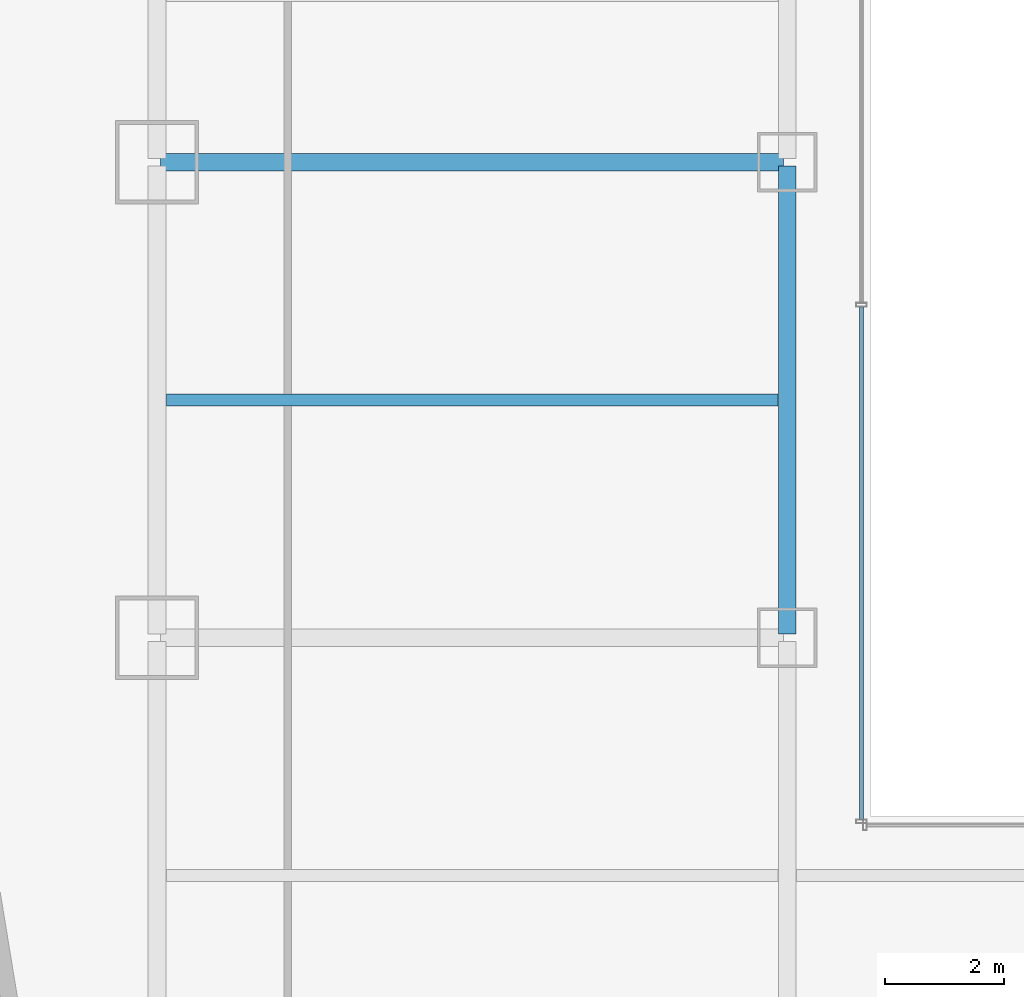
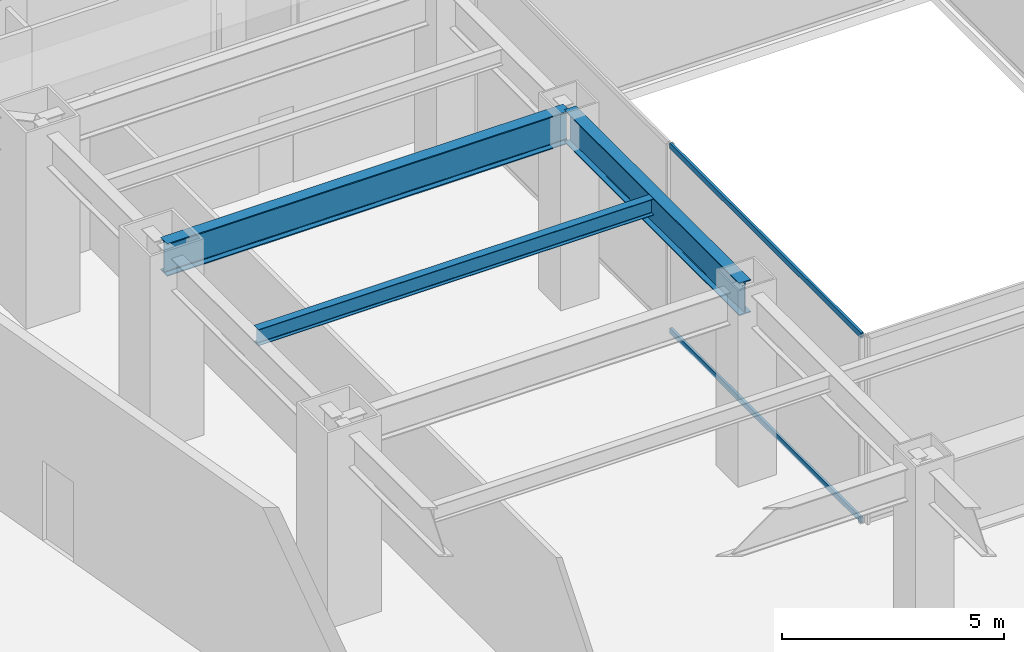
# One storey, part 6 of 29: 3 beams, 2 members, 1 element without a shape of its own.
"""IFC4 building model written with IfcOpenShell, lengths in metres."""

from ifc_helpers import new_model, si_unit, direction, frame, origin, origin_2d, place, context, subcontext, project, spatial, hollow_rectangle, i_section, extrude, material, material_profile, profile_set, type_object, element, aggregate, save


model = new_model("IFC4")

# Units and contexts
model_context = context("Model", 3, precision=1e-05, world=origin(), true_north=direction((0.0, 1.0)))
body_context = subcontext(model_context, "Body", "Model", "MODEL_VIEW")
ifc_project = project(units=[si_unit("LENGTHUNIT", "METRE"), si_unit("AREAUNIT", "SQUARE_METRE"), si_unit("VOLUMEUNIT", "CUBIC_METRE"), si_unit("PLANEANGLEUNIT", "RADIAN"), si_unit("MASSUNIT", "GRAM", prefix="KILO")], contexts=[model_context])

# Site, building, storey
site_placement = place(None, origin())
site = spatial("IfcSite", under=ifc_project, at=site_placement, CompositionType="ELEMENT")
building_placement = place(site_placement, origin())
building = spatial("IfcBuilding", under=site, at=building_placement, Name="Saevonmaru Cultural Tower", CompositionType="ELEMENT")
storey_placement = place(building_placement, frame((0.0, 0.0, 27.60009765625)))
storey = spatial("IfcBuildingStorey", under=building, at=storey_placement, Name="L05", CompositionType="ELEMENT", Elevation=27.60009765625)

# Beams
ifc_material_1 = material(Name="Steel SM420", Category="steel")
ifc_material_profile_1 = material_profile(ifc_material_1, i_section(OverallWidth=0.300048828125, OverallDepth=0.89990234375, WebThickness=0.01611328125, FlangeThickness=0.028076171875, FilletRadius=0.028076171875, at=origin_2d()), Name="H-900x300x16x28")
ifc_profile_set_1 = profile_set([ifc_material_profile_1], Name="Steel SM420")
beam_type_1 = type_object("IfcBeamType", Name="BM-G-H900", PredefinedType="BEAM", material=ifc_profile_set_1)
beam_1_placement = place(storey_placement, frame((22.800048828125, 24.06005859375, 4.699951171875), z_axis=(0.0, 1.0, 0.0), x_axis=(-1.0, 0.0, 0.0)))
element("IfcBeam", 1, at=beam_1_placement, inside=storey, type_object=beam_type_1, Name="L05 Podium Girder NS2-4", PredefinedType="BEAM", context=body_context, shape_type="SweptSolid", body=[
    extrude(i_section(OverallWidth=0.300048828125, OverallDepth=0.89990234375, WebThickness=0.01611328125, FlangeThickness=0.028076171875, FilletRadius=0.028076171875, at=origin_2d()), origin(), (0.0, 0.0, 1.0), 7.8798828125),
])
beam_2_placement = place(storey_placement, frame((12.260009765625, 32.0, 4.699951171875), z_axis=(1.0, 0.0, 0.0), x_axis=(0.0, 1.0, 0.0)))
element("IfcBeam", 2, at=beam_2_placement, inside=storey, type_object=beam_type_1, Name="L05 Gallery Girder W-4", PredefinedType="BEAM", context=body_context, shape_type="SweptSolid", body=[
    extrude(i_section(OverallWidth=0.300048828125, OverallDepth=0.89990234375, WebThickness=0.01611328125, FlangeThickness=0.028076171875, FilletRadius=0.028076171875, at=origin_2d()), origin(), (0.0, 0.0, 1.0), 10.47998046875),
])
ifc_material_2 = material(Name="Steel SM355", Category="steel")
ifc_material_profile_2 = material_profile(ifc_material_2, i_section(OverallWidth=0.199951171875, OverallDepth=0.449951171875, WebThickness=0.009033203125, FlangeThickness=0.013916015625, FilletRadius=0.01806640625, at=origin_2d()), Name="H-450x200x9x14")
ifc_profile_set_2 = profile_set([ifc_material_profile_2], Name="Steel SM355")
beam_type_2 = type_object("IfcBeamType", Name="BM-J-H450", PredefinedType="JOIST", material=ifc_profile_set_2)
beam_3_placement = place(storey_placement, frame((12.35791015625, 28.0, 4.9248046875), z_axis=(1.0, 0.0, 0.0), x_axis=(0.0, 1.0, 0.0)))
element("IfcBeam", 3, at=beam_3_placement, inside=storey, type_object=beam_type_2, Name="L05 Secondary Floor Joist JW-3", PredefinedType="JOIST", context=body_context, shape_type="SweptSolid", body=[
    extrude(i_section(OverallWidth=0.199951171875, OverallDepth=0.449951171875, WebThickness=0.009033203125, FlangeThickness=0.013916015625, FilletRadius=0.01806640625, at=origin_2d()), origin(), (0.0, 0.0, 1.0), 10.2841796875),
])

# Curtain wall, members
ifc_material_3 = material(Name="Satin Bronze Anodised Aluminium", Category="aluminium")
curtain_wall_type = type_object("IfcCurtainWallType", Name="CW-ATR-GLZ", PredefinedType="NOTDEFINED", material=ifc_material_3)
curtain_wall_placement = place(storey_placement, origin())
curtain_wall = element("IfcCurtainWall", 4, at=curtain_wall_placement, inside=storey, type_object=curtain_wall_type, Name="L05 Vertical Atrium Glazed Smoke Screen 4", PredefinedType="NOTDEFINED")
ifc_material_profile_3 = material_profile(ifc_material_3, hollow_rectangle(XDim=0.06494140625, YDim=0.14990234375, WallThickness=0.00390625, at=origin_2d()), Name="ALU-TRAN-150x65x4")
ifc_profile_set_3 = profile_set([ifc_material_profile_3], Name="Satin Bronze Anodised Aluminium")
member_type = type_object("IfcMemberType", Name="TR-CW-INT-150x65", PredefinedType="USERDEFINED", material=ifc_profile_set_3)
member_1_placement = place(storey_placement, frame((24.050048828125, 29.5673828125, 0.032470703125), z_axis=(0.0, -1.0, 0.0), x_axis=(1.0, 0.0, 0.0)))
member_1 = element("IfcMember", 5, at=member_1_placement, type_object=member_type, Name="CW-ATR-L05-4 transom 2.1", ObjectType="TRANSOM", PredefinedType="USERDEFINED", context=body_context, shape_type="SweptSolid", body=[
    extrude(hollow_rectangle(XDim=0.06494140625, YDim=0.14990234375, WallThickness=0.00390625, at=origin_2d()), origin(), (0.0, 0.0, 1.0), 8.625),
])
member_2_placement = place(storey_placement, frame((24.050048828125, 29.5673828125, 5.117431640625), z_axis=(0.0, -1.0, 0.0), x_axis=(1.0, 0.0, 0.0)))
member_2 = element("IfcMember", 6, at=member_2_placement, type_object=member_type, Name="CW-ATR-L05-4 transom 2.2", ObjectType="TRANSOM", PredefinedType="USERDEFINED", context=body_context, shape_type="SweptSolid", body=[
    extrude(hollow_rectangle(XDim=0.06494140625, YDim=0.14990234375, WallThickness=0.00390625, at=origin_2d()), origin(), (0.0, 0.0, 1.0), 8.625),
])
aggregate(curtain_wall, [member_1, member_2])

save(model, "model.ifc")
